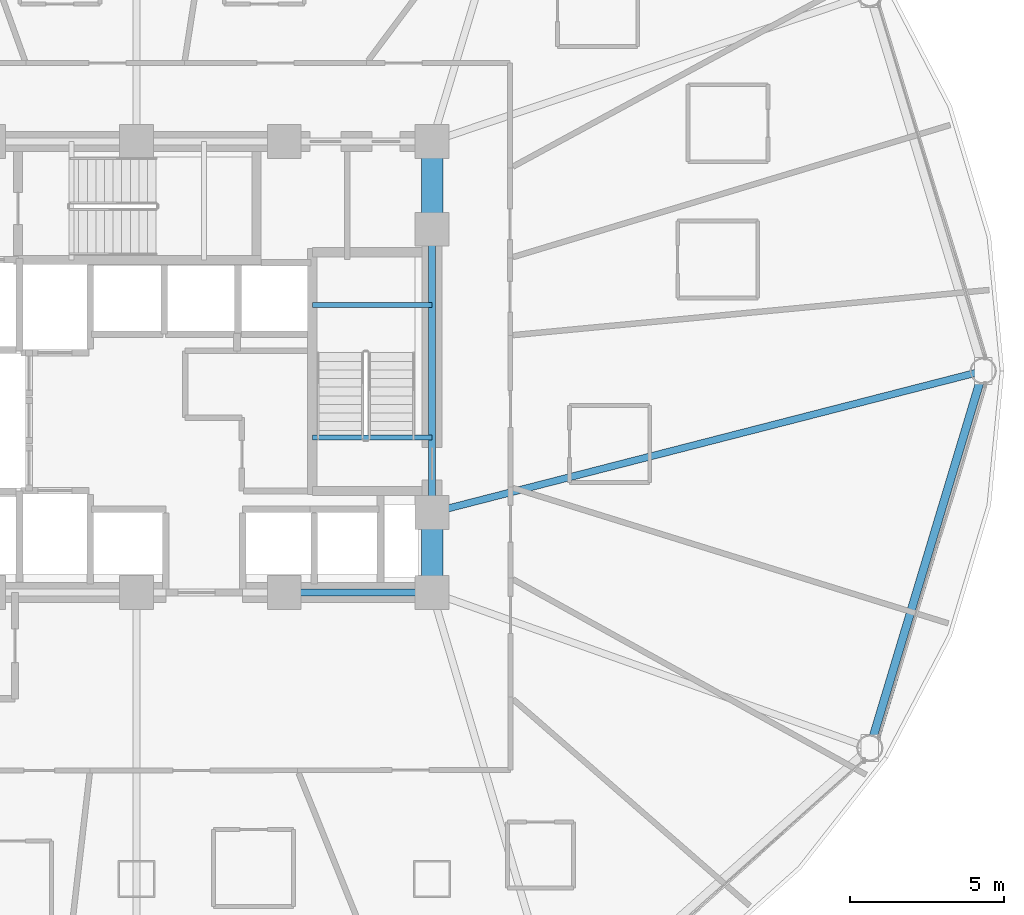
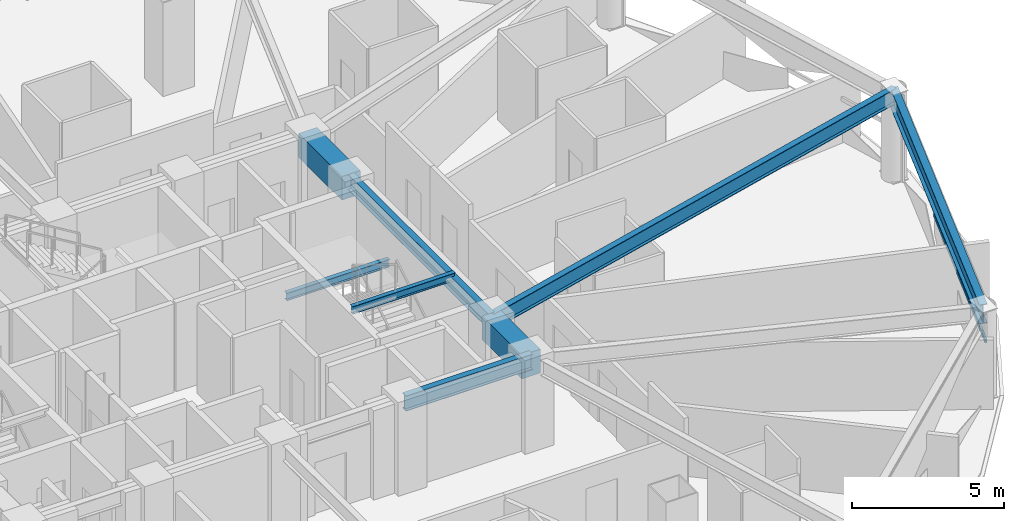
# One storey, part 11 of 30: 8 beams, 1 member, 1 element without a shape of its own.
"""IFC4 building model written with IfcOpenShell, lengths in metres."""

from ifc_helpers import new_model, si_unit, direction, frame, origin, origin_2d, place, context, subcontext, project, spatial, rectangle, hollow_rectangle, i_section, extrude, material, layer, layer_set, material_profile, profile_set, type_object, element, aggregate, save


model = new_model("IFC4")

# Units and contexts
model_context = context("Model", 3, precision=1e-05, world=origin(), true_north=direction((0.0, 1.0)))
body_context = subcontext(model_context, "Body", "Model", "MODEL_VIEW")
ifc_project = project(units=[si_unit("LENGTHUNIT", "METRE"), si_unit("AREAUNIT", "SQUARE_METRE"), si_unit("VOLUMEUNIT", "CUBIC_METRE"), si_unit("PLANEANGLEUNIT", "RADIAN"), si_unit("MASSUNIT", "GRAM", prefix="KILO")], contexts=[model_context])

# Site, building, storey
site_placement = place(None, origin())
site = spatial("IfcSite", under=ifc_project, at=site_placement, CompositionType="ELEMENT")
building_placement = place(site_placement, origin())
building = spatial("IfcBuilding", under=site, at=building_placement, Name="Vantalir Tower", CompositionType="ELEMENT")
storey_placement = place(building_placement, frame((0.0, 0.0, 83.25)))
storey = spatial("IfcBuildingStorey", under=building, at=storey_placement, Name="L20", CompositionType="ELEMENT", Elevation=83.25)

# Beams
ifc_material_1 = material(Name="Concrete C60/75", Category="concrete")
ifc_material_profile_1 = material_profile(ifc_material_1, rectangle(XDim=0.699951171875, YDim=0.949951171875, at=origin_2d()), Name="Concrete C60/75")
ifc_profile_set_1 = profile_set([ifc_material_profile_1], Name="Concrete C60/75")
beam_type_1 = type_object("IfcBeamType", Name="BM-CB-700x950", PredefinedType="USERDEFINED", material=ifc_profile_set_1)
beam_1_placement = place(storey_placement, frame((41.10009765625, 17.800048828125, 3.094970703125), z_axis=(0.0, 1.0, 0.0), x_axis=(-1.0, 0.0, 0.0)))
element("IfcBeam", 1, at=beam_1_placement, inside=storey, type_object=beam_type_1, Name="L20 Core Coupling Girder 05", ObjectType="GIRDER", PredefinedType="USERDEFINED", context=body_context, shape_type="SweptSolid", body=[
    extrude(rectangle(XDim=0.699951171875, YDim=0.949951171875, at=origin_2d()), origin(), (0.0, 0.0, 1.0), 2.599853515625),
])
beam_2_placement = place(storey_placement, frame((41.10009765625, 29.60009765625, 3.094970703125), z_axis=(0.0, 1.0, 0.0), x_axis=(-1.0, 0.0, 0.0)))
element("IfcBeam", 2, at=beam_2_placement, inside=storey, type_object=beam_type_1, Name="L20 Core Coupling Girder 07", ObjectType="GIRDER", PredefinedType="USERDEFINED", context=body_context, shape_type="SweptSolid", body=[
    extrude(rectangle(XDim=0.699951171875, YDim=0.949951171875, at=origin_2d()), origin(), (0.0, 0.0, 1.0), 2.849853515625),
])
ifc_material_2 = material(Name="Steel S355", Category="steel")
ifc_material_profile_2 = material_profile(ifc_material_2, i_section(OverallWidth=0.166015625, OverallDepth=0.306884765625, WebThickness=0.006591796875, FlangeThickness=0.01171875, at=origin_2d()), Name="Steel S355")
ifc_profile_set_2 = profile_set([ifc_material_profile_2], Name="Steel S355")
beam_type_2 = type_object("IfcBeamType", Name="BM-JS-305x165", PredefinedType="JOIST", material=ifc_profile_set_2)
for number, where, z_axis, x_axis, name in (
    (3, (37.2099609375, 22.8349609375, 3.595947265625), (1.0, 0.0, 0.0), (0.0, 1.0, 0.0), "L21 Stair ST2 Well Nosing Trimmer Beam"),
    (4, (37.2099609375, 27.14501953125, 1.52197265625), (1.0, 0.0, 0.0), (0.0, 1.0, 0.0), "L20 Stair ST2 Half-Landing Support Beam"),
):
    element("IfcBeam", number, at=place(storey_placement, frame(where, z_axis=z_axis, x_axis=x_axis)), inside=storey, type_object=beam_type_2, Name=name, PredefinedType="JOIST", context=body_context, shape_type="SweptSolid", body=[
        extrude(i_section(OverallWidth=0.166015625, OverallDepth=0.306884765625, WebThickness=0.006591796875, FlangeThickness=0.01171875, at=origin_2d()), origin(), (0.0, 0.0, 1.0), 3.89013671875),
    ])
ifc_material_profile_3 = material_profile(ifc_material_2, i_section(OverallWidth=0.22998046875, OverallDepth=0.616943359375, WebThickness=0.01318359375, FlangeThickness=0.022216796875, at=origin_2d()), Name="Steel S355")
ifc_profile_set_3 = profile_set([ifc_material_profile_3], Name="Steel S355")
beam_type_3 = type_object("IfcBeamType", Name="BM-RB-610x229", PredefinedType="BEAM", material=ifc_profile_set_3)
beam_3_placement = place(storey_placement, frame((36.300048828125, 17.800048828125, 3.261962890625), z_axis=(1.0, 0.0, 0.0), x_axis=(0.0, 1.0, 0.0)))
element("IfcBeam", 5, at=beam_3_placement, inside=storey, type_object=beam_type_3, Name="L20 Core Coupling Girder 04", PredefinedType="BEAM", context=body_context, shape_type="SweptSolid", body=[
    extrude(i_section(OverallWidth=0.22998046875, OverallDepth=0.616943359375, WebThickness=0.01318359375, FlangeThickness=0.022216796875, at=origin_2d()), origin(), (0.0, 0.0, 1.0), 4.800048828125),
])
beam_4_placement = place(storey_placement, frame((41.10009765625, 20.39990234375, 3.261962890625), z_axis=(0.0, 1.0, 0.0), x_axis=(-1.0, 0.0, 0.0)))
element("IfcBeam", 6, at=beam_4_placement, inside=storey, type_object=beam_type_3, Name="L20 Core Coupling Girder 06", PredefinedType="BEAM", context=body_context, shape_type="SweptSolid", body=[
    extrude(i_section(OverallWidth=0.22998046875, OverallDepth=0.616943359375, WebThickness=0.01318359375, FlangeThickness=0.022216796875, at=origin_2d()), origin(), (0.0, 0.0, 1.0), 9.2001953125),
])
beam_5_placement = place(storey_placement, frame((59.0, 25.0, 3.261962890625), z_axis=(-0.968528607781, -0.248902261761, 0.0), x_axis=(0.248902261761, -0.968528607781, 0.0)))
element("IfcBeam", 7, at=beam_5_placement, inside=storey, type_object=beam_type_3, Name="L20 Radial Floor Beam 01", PredefinedType="BEAM", context=body_context, shape_type="SweptSolid", body=[
    extrude(i_section(OverallWidth=0.22998046875, OverallDepth=0.616943359375, WebThickness=0.01318359375, FlangeThickness=0.022216796875, at=origin_2d()), origin(), (0.0, 0.0, 1.0), 18.4814453125),
])
ifc_material_3 = material(Name="Steel S460", Category="steel")
ifc_material_profile_4 = material_profile(ifc_material_3, i_section(OverallWidth=0.26806640625, OverallDepth=0.77001953125, WebThickness=0.015625, FlangeThickness=0.025390625, at=origin_2d()), Name="Steel S460")
ifc_profile_set_4 = profile_set([ifc_material_profile_4], Name="Steel S460")
beam_type_4 = type_object("IfcBeamType", Name="BM-RG-762x267", PredefinedType="USERDEFINED", material=ifc_profile_set_4)
beam_6_placement = place(storey_placement, frame((55.31591796875, 12.751953125, 3.18505859375), z_axis=(0.288041290662, 0.957617990053, 0.0), x_axis=(-0.957617990053, 0.288041290662, 0.0)))
element("IfcBeam", 8, at=beam_6_placement, inside=storey, type_object=beam_type_4, Name="L20 Circumferential Ring Girder 12", ObjectType="GIRDER", PredefinedType="USERDEFINED", context=body_context, shape_type="SweptSolid", body=[
    extrude(i_section(OverallWidth=0.26806640625, OverallDepth=0.77001953125, WebThickness=0.015625, FlangeThickness=0.025390625, at=origin_2d()), origin(), (0.0, 0.0, 1.0), 12.7900390625),
])

# Curtain wall, member
ifc_material_4 = material(Name="Champagne-silver PVDF aluminium and double-silver Low-E glass", Category="aluminium")
ifc_layer = layer(ifc_material_4, 0.18994140625)
ifc_layer_set = layer_set([ifc_layer], Name="Champagne-silver PVDF aluminium and double-silver Low-E glass")
curtain_wall_type = type_object("IfcCurtainWallType", Name="CW-DIAMOND-Z1", PredefinedType="USERDEFINED", material=ifc_layer_set)
curtain_wall_placement = place(storey_placement, origin())
curtain_wall = element("IfcCurtainWall", 9, at=curtain_wall_placement, inside=storey, type_object=curtain_wall_type, Name="L20 Quilted Pyramid-Diamond Curtain Wall S12", ObjectType="UNITISED CURTAIN WALL", PredefinedType="USERDEFINED")
ifc_material_5 = material(Name="Champagne-silver PVDF aluminium 6063-T6", Category="aluminium")
ifc_material_profile_5 = material_profile(ifc_material_5, hollow_rectangle(XDim=0.074951171875, YDim=0.159912109375, WallThickness=0.00390625, at=origin_2d()), Name="Champagne-silver PVDF aluminium 6063-T6")
ifc_profile_set_5 = profile_set([ifc_material_profile_5], Name="Champagne-silver PVDF aluminium 6063-T6")
member_type = type_object("IfcMemberType", Name="CWT-160x75", PredefinedType="USERDEFINED", material=ifc_profile_set_5)
member_placement = place(storey_placement, frame((55.614990234375, 13.10693359375, 1.784912109375), z_axis=(0.290933503403, 0.956743276223, 0.0), x_axis=(-0.956743276223, 0.290933503403, 0.0)))
member = element("IfcMember", 10, at=member_placement, type_object=member_type, Name="CW-L20-S12 Pyramid Fold Ridge Transom", ObjectType="TRANSOM", PredefinedType="USERDEFINED", context=body_context, shape_type="SweptSolid", body=[
    extrude(hollow_rectangle(XDim=0.074951171875, YDim=0.159912109375, WallThickness=0.00390625, at=origin_2d()), origin(), (0.0, 0.0, 1.0), 7.41064453125),
])
aggregate(curtain_wall, [member])

save(model, "model.ifc")
